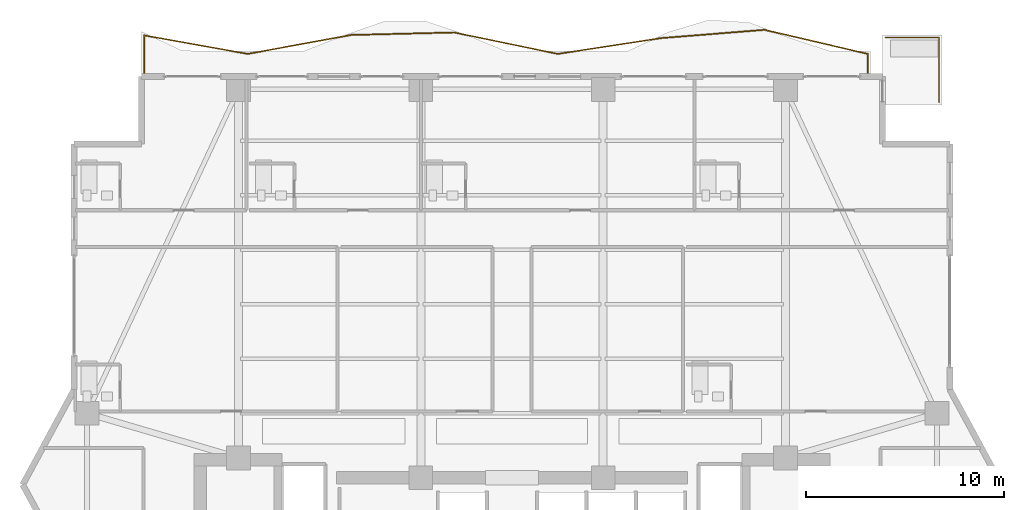
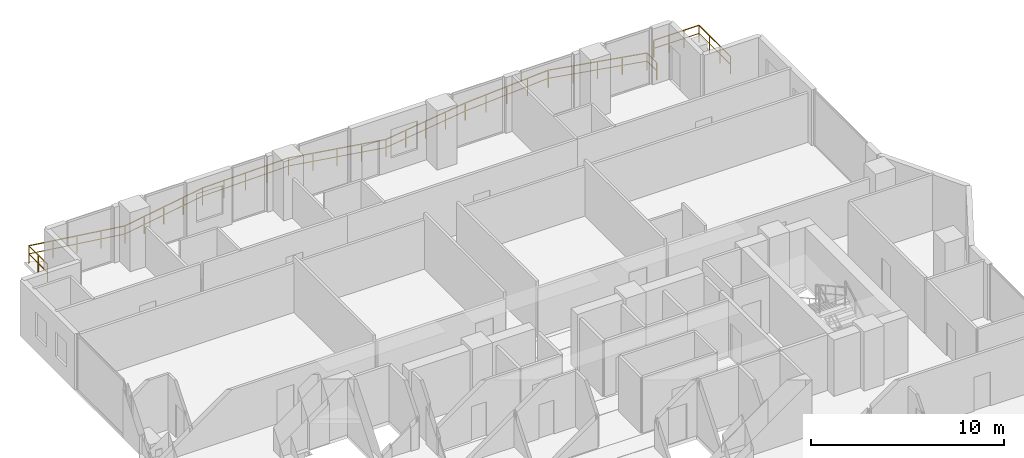
# One storey, part 31 of 32: 2 railings.
"""IFC4 building model written with IfcOpenShell, lengths in metres."""

import ifcopenshell
import ifcopenshell.guid

model = None  # the IFC model being written
_history = None  # IfcOwnerHistory: only IFC2X3 demands one
_inside = {}  # id of a spatial element -> (the spatial element, [elements in it])
_under = {}  # id of a project, library or spatial element -> (it, [spatial elements below it])
_declared = {}  # id of a project -> (the project, [libraries it declares])
_typed = {}  # id of a type object -> (the type object, [elements of that type])
_made_of = {}  # id of a material, layer set ... -> (it, [elements and type objects made of it])


def new_model(schema):
    """Start an empty IFC model of exactly this schema.

    Asked for "IFC4X3", IfcOpenShell would pick the latest addendum, in which some entities
    have other attributes; the version numbers below select the first issue.
    IFC2X3 requires an IfcOwnerHistory on every rooted entity: one is made here for all.
    """
    global model, _history
    if schema == "IFC4X3":
        model = ifcopenshell.file(schema_version=(4, 3, 0, 0))
    else:
        model = ifcopenshell.file(schema=schema)
    _inside.clear()
    _under.clear()
    _declared.clear()
    _typed.clear()
    _made_of.clear()
    _history = None
    if model.schema == "IFC2X3":
        org = make("IfcOrganization", Name="unknown")
        user = make(
            "IfcPersonAndOrganization",
            ThePerson=make("IfcPerson", FamilyName="unknown"),
            TheOrganization=org,
        )
        app = make(
            "IfcApplication",
            ApplicationDeveloper=org,
            Version="unknown",
            ApplicationFullName="unknown",
            ApplicationIdentifier="unknown",
        )
        _history = make(
            "IfcOwnerHistory",
            OwningUser=user,
            OwningApplication=app,
            ChangeAction="ADDED",
            CreationDate=0,
        )
    return model


def make(cls, **values):
    """One entity of the class cls with the attributes given. An attribute that is None is left unset."""
    return model.create_entity(
        cls, **{name: value for name, value in values.items() if value is not None}
    )


def rooted(cls, **values):
    """An entity with a GlobalId (a new one), such as an element, a storey or a relation."""
    return make(cls, GlobalId=ifcopenshell.guid.new(), OwnerHistory=_history, **values)


def si_unit(unit_type, name, prefix=None):
    """IfcSIUnit, for example si_unit("LENGTHUNIT", "METRE", prefix="MILLI")."""
    return make("IfcSIUnit", UnitType=unit_type, Prefix=prefix, Name=name)


def assignment(units):
    """IfcUnitAssignment: the units of a project."""
    return None if units is None else make("IfcUnitAssignment", Units=units)


def point(xyz):
    """IfcCartesianPoint."""
    return None if xyz is None else make("IfcCartesianPoint", Coordinates=xyz)


def direction(xyz):
    """IfcDirection."""
    return None if xyz is None else make("IfcDirection", DirectionRatios=xyz)


def frame(location, z_axis=None, x_axis=None):
    """IfcAxis2Placement3D, a coordinate frame: its origin and axes. An axis left out is left unset."""
    return make(
        "IfcAxis2Placement3D",
        Location=point(location),
        Axis=direction(z_axis),
        RefDirection=direction(x_axis),
    )


def frame_2d(location, x_axis=None):
    """IfcAxis2Placement2D, a coordinate frame in the plane: its origin and x axis."""
    return make(
        "IfcAxis2Placement2D", Location=point(location), RefDirection=direction(x_axis)
    )


def origin():
    """The frame at (0, 0, 0) with its axes left unset."""
    return frame((0.0, 0.0, 0.0))


def origin_2d():
    """The frame at (0, 0) in the plane with its x axis left unset."""
    return frame_2d((0.0, 0.0))


def place(relative_to, where):
    """IfcLocalPlacement: puts the frame where relative to a parent placement (None: the world)."""
    return make(
        "IfcLocalPlacement", PlacementRelTo=relative_to, RelativePlacement=where
    )


def context(
    kind, dimensions, precision=None, world=None, true_north=None, identifier=None
):
    """IfcGeometricRepresentationContext, for example the 3D "Model" context."""
    return make(
        "IfcGeometricRepresentationContext",
        ContextIdentifier=identifier,
        ContextType=kind,
        CoordinateSpaceDimension=dimensions,
        Precision=precision,
        WorldCoordinateSystem=world,
        TrueNorth=true_north,
    )


def subcontext(parent, identifier, kind, view, scale=None):
    """IfcGeometricRepresentationSubContext, for example "Body" below "Model"."""
    return make(
        "IfcGeometricRepresentationSubContext",
        ContextIdentifier=identifier,
        ContextType=kind,
        ParentContext=parent,
        TargetScale=scale,
        TargetView=view,
    )


def project(units=None, contexts=None):
    """IfcProject with its units and contexts."""
    return rooted(
        "IfcProject",
        Name="project",
        RepresentationContexts=contexts,
        UnitsInContext=assignment(units),
    )


def spatial(cls, under=None, at=None, **own):
    """A site, building, storey or space (cls), placed at a placement, below another one or the project."""
    s = rooted(cls, ObjectPlacement=at, **own)
    if under is not None:
        _under.setdefault(under.id(), (under, []))[1].append(s)
    return s


def profile(cls, at=None, kind="AREA", **sizes):
    """A parametric profile (cls). Its sizes go by their IFC names, for example OverallWidth=200.0."""
    return make(cls, ProfileType=kind, Position=at, **sizes)


def rectangle(**sizes):
    """IfcRectangleProfileDef."""
    return profile("IfcRectangleProfileDef", **sizes)


def extrude(swept, where, along, depth):
    """IfcExtrudedAreaSolid: the profile swept, set in the frame where, extruded along a direction by depth."""
    return make(
        "IfcExtrudedAreaSolid",
        SweptArea=swept,
        Position=where,
        ExtrudedDirection=direction(along),
        Depth=depth,
    )


def shape(context_of_items, identifier, shape_type, items):
    """IfcShapeRepresentation: the items that make up one representation, for example the "Body"."""
    return make(
        "IfcShapeRepresentation",
        ContextOfItems=context_of_items,
        RepresentationIdentifier=identifier,
        RepresentationType=shape_type,
        Items=items,
    )


def material(Name=None, Category=None):
    """IfcMaterial."""
    return make("IfcMaterial", Name=Name, Category=Category)


def made_of(thing, what):
    """Note that an element or type object is made of a material, layer set ...; save() writes the relation."""
    if what is not None:
        _made_of.setdefault(what.id(), (what, []))[1].append(thing)
    return thing


def type_object(cls, material=None, **own):
    """A type object (cls), such as IfcWallType, which elements share."""
    return made_of(rooted(cls, **own), material)


def element(
    cls,
    number,
    at=None,
    inside=None,
    cuts=None,
    type_object=None,
    material=None,
    context=None,
    identifier="Body",
    shape_type=None,
    held_by="IfcProductDefinitionShape",
    body=None,
    shapes=None,
    **own,
):
    """One element of the class cls, such as IfcWall. Its Tag is "e" and its number.

    at: its placement. inside: the storey or other place that contains it. cuts: it is an
    opening in that element (IfcRelVoidsElement). A single representation is given by context,
    identifier, shape_type and body (its items); several are given by shapes. held_by: the class
    of the entity that holds the representations. save() writes the other relations.
    """
    e = rooted(cls, Tag="e%d" % number, ObjectPlacement=at, **own)
    if body is not None:
        shapes = [shape(context, identifier, shape_type, body)]
    if shapes is not None:
        e.Representation = make(held_by, Representations=shapes)
    if inside is not None:
        _inside.setdefault(inside.id(), (inside, []))[1].append(e)
    if cuts is not None:
        rooted(
            "IfcRelVoidsElement", RelatingBuildingElement=cuts, RelatedOpeningElement=e
        )
    if type_object is not None:
        _typed.setdefault(type_object.id(), (type_object, []))[1].append(e)
    return made_of(e, material)


def aggregate(whole, parts):
    """IfcRelAggregates: a whole, such as a stair, and the parts it consists of."""
    return rooted("IfcRelAggregates", RelatingObject=whole, RelatedObjects=parts)


def save(model, path):
    """Write the relations noted so far, then the file.

    IfcRelAggregates (storeys below a building ...), IfcRelContainedInSpatialStructure (elements
    in a storey), IfcRelDefinesByType, IfcRelAssociatesMaterial and IfcRelDeclares: one each for
    every whole, place, type object, material and project.
    """
    for whole, parts in _under.values():
        aggregate(whole, parts)
    for where, things in _inside.values():
        rooted(
            "IfcRelContainedInSpatialStructure",
            RelatedElements=things,
            RelatingStructure=where,
        )
    for kind, things in _typed.values():
        rooted("IfcRelDefinesByType", RelatedObjects=things, RelatingType=kind)
    for what, things in _made_of.values():
        rooted("IfcRelAssociatesMaterial", RelatedObjects=things, RelatingMaterial=what)
    for by, libraries in _declared.values():
        rooted("IfcRelDeclares", RelatingContext=by, RelatedDefinitions=libraries)
    model.write(path)


model = new_model("IFC4")

# Units and contexts
model_context = context("Model", 3, precision=1e-05, world=origin(), true_north=direction((0.0, 1.0)))
body_context = subcontext(model_context, "Body", "Model", "MODEL_VIEW")
ifc_project = project(units=[si_unit("LENGTHUNIT", "METRE"), si_unit("AREAUNIT", "SQUARE_METRE"), si_unit("VOLUMEUNIT", "CUBIC_METRE"), si_unit("PLANEANGLEUNIT", "RADIAN"), si_unit("MASSUNIT", "GRAM", prefix="KILO")], contexts=[model_context])

# Site, building, storey
site_placement = place(None, origin())
site = spatial("IfcSite", under=ifc_project, at=site_placement, CompositionType="ELEMENT")
building_placement = place(site_placement, origin())
building = spatial("IfcBuilding", under=site, at=building_placement, Name="Zuhayl Quay Hotel", CompositionType="ELEMENT")
storey_placement = place(building_placement, frame((0.0, 0.0, 218.64990234375)))
storey = spatial("IfcBuildingStorey", under=building, at=storey_placement, Name="L55", CompositionType="ELEMENT", Elevation=218.64990234375)

# Railings
ifc_material = material(Name="Anodised Aluminium and Laminated Glass", Category="aluminium")
railing_type = type_object("IfcRailingType", Name="RL_EXT_BAL_1100", PredefinedType="BALUSTRADE", material=ifc_material)
railing_1_placement = place(storey_placement, frame((-18.56005859375, 33.719970703125, 0.0)))
element("IfcRailing", 1, at=railing_1_placement, inside=storey, type_object=railing_type, Name="L55 Balcony and Terrace Guard GR_L55_BAL_N", PredefinedType="BALUSTRADE", context=body_context, shape_type="SweptSolid", body=[
    extrude(rectangle(XDim=0.048095703125, YDim=0.048095703125, at=origin_2d()), frame((0.0, 0.0, 1.09619140625), z_axis=(0.0, 1.0, 0.0), x_axis=(-1.0, 0.0, 0.0)), (0.0, 0.0, 1.0), 1.95458984375),
    extrude(rectangle(XDim=0.0361328125, YDim=0.0361328125, at=origin_2d()), frame((0.0, 0.0, 0.58251953125), z_axis=(0.0, 1.0, 0.0), x_axis=(-1.0, 0.0, 0.0)), (0.0, 0.0, 1.0), 1.95458984375),
    extrude(rectangle(XDim=0.048095703125, YDim=0.048095703125, at=origin_2d()), frame((0.0, 1.95458984375, 1.09619140625), z_axis=(0.984330915861, -0.176331075198, 0.0), x_axis=(0.176331075198, 0.984330915861, 0.0)), (0.0, 0.0, 1.0), 5.300048828125),
    extrude(rectangle(XDim=0.0361328125, YDim=0.0361328125, at=origin_2d()), frame((0.0, 1.95458984375, 0.58251953125), z_axis=(0.984330915861, -0.176331075198, 0.0), x_axis=(0.176331075198, 0.984330915861, 0.0)), (0.0, 0.0, 1.0), 5.300048828125),
    extrude(rectangle(XDim=0.048095703125, YDim=0.048095703125, at=origin_2d()), frame((5.217041015625, 1.02001953125, 1.09619140625), z_axis=(0.983645994575, 0.180112624089, 0.0), x_axis=(-0.180112624089, 0.983645994575, 0.0)), (0.0, 0.0, 1.0), 5.303955078125),
    extrude(rectangle(XDim=0.0361328125, YDim=0.0361328125, at=origin_2d()), frame((5.217041015625, 1.02001953125, 0.58251953125), z_axis=(0.983645994575, 0.180112624089, 0.0), x_axis=(-0.180112624089, 0.983645994575, 0.0)), (0.0, 0.0, 1.0), 5.303955078125),
    extrude(rectangle(XDim=0.048095703125, YDim=0.048095703125, at=origin_2d()), frame((10.434326171875, 1.975341796875, 1.09619140625), z_axis=(0.999707455401, 0.024186847978, 0.0), x_axis=(-0.024186847978, 0.999707455401, 0.0)), (0.0, 0.0, 1.0), 5.218505859375),
    extrude(rectangle(XDim=0.0361328125, YDim=0.0361328125, at=origin_2d()), frame((10.434326171875, 1.975341796875, 0.58251953125), z_axis=(0.999707455401, 0.024186847978, 0.0), x_axis=(-0.024186847978, 0.999707455401, 0.0)), (0.0, 0.0, 1.0), 5.218505859375),
    extrude(rectangle(XDim=0.048095703125, YDim=0.048095703125, at=origin_2d()), frame((15.6513671875, 2.1015625, 1.09619140625), z_axis=(0.97918197612, -0.202984377829, 0.0), x_axis=(0.202984377829, 0.97918197612, 0.0)), (0.0, 0.0, 1.0), 5.328125),
    extrude(rectangle(XDim=0.0361328125, YDim=0.0361328125, at=origin_2d()), frame((15.6513671875, 2.1015625, 0.58251953125), z_axis=(0.97918197612, -0.202984377829, 0.0), x_axis=(0.202984377829, 0.97918197612, 0.0)), (0.0, 0.0, 1.0), 5.328125),
    extrude(rectangle(XDim=0.048095703125, YDim=0.048095703125, at=origin_2d()), frame((20.86865234375, 1.02001953125, 1.09619140625), z_axis=(0.988472550208, 0.151400189847, 0.0), x_axis=(-0.151400189847, 0.988472550208, 0.0)), (0.0, 0.0, 1.0), 5.27783203125),
    extrude(rectangle(XDim=0.0361328125, YDim=0.0361328125, at=origin_2d()), frame((20.86865234375, 1.02001953125, 0.58251953125), z_axis=(0.988472550208, 0.151400189847, 0.0), x_axis=(-0.151400189847, 0.988472550208, 0.0)), (0.0, 0.0, 1.0), 5.27783203125),
    extrude(rectangle(XDim=0.048095703125, YDim=0.048095703125, at=origin_2d()), frame((26.085693359375, 1.819091796875, 1.09619140625), z_axis=(0.996836009487, 0.079485660279, 0.0), x_axis=(-0.079485660279, 0.996836009487, 0.0)), (0.0, 0.0, 1.0), 5.23388671875),
    extrude(rectangle(XDim=0.0361328125, YDim=0.0361328125, at=origin_2d()), frame((26.085693359375, 1.819091796875, 0.58251953125), z_axis=(0.996836009487, 0.079485660279, 0.0), x_axis=(-0.079485660279, 0.996836009487, 0.0)), (0.0, 0.0, 1.0), 5.23388671875),
    extrude(rectangle(XDim=0.048095703125, YDim=0.048095703125, at=origin_2d()), frame((31.302978515625, 2.235107421875, 1.09619140625), z_axis=(0.973932908461, -0.226836262128, 0.0), x_axis=(0.226836262128, 0.973932908461, 0.0)), (0.0, 0.0, 1.0), 5.356689453125),
    extrude(rectangle(XDim=0.0361328125, YDim=0.0361328125, at=origin_2d()), frame((31.302978515625, 2.235107421875, 0.58251953125), z_axis=(0.973932908461, -0.226836262128, 0.0), x_axis=(0.226836262128, 0.973932908461, 0.0)), (0.0, 0.0, 1.0), 5.356689453125),
    extrude(rectangle(XDim=0.048095703125, YDim=0.048095703125, at=origin_2d()), frame((36.52001953125, 1.02001953125, 1.09619140625), z_axis=(0.0, -1.0, 0.0), x_axis=(1.0, 0.0, 0.0)), (0.0, 0.0, 1.0), 1.02001953125),
    extrude(rectangle(XDim=0.0361328125, YDim=0.0361328125, at=origin_2d()), frame((36.52001953125, 1.02001953125, 0.58251953125), z_axis=(0.0, -1.0, 0.0), x_axis=(1.0, 0.0, 0.0)), (0.0, 0.0, 1.0), 1.02001953125),
    extrude(rectangle(XDim=0.0419921875, YDim=0.0419921875, at=origin_2d()), origin(), (0.0, 0.0, 1.0), 1.072021484375),
    extrude(rectangle(XDim=0.0419921875, YDim=0.0419921875, at=origin_2d()), frame((0.0, 0.977294921875, 0.0)), (0.0, 0.0, 1.0), 1.072021484375),
    extrude(rectangle(XDim=0.0419921875, YDim=0.0419921875, at=origin_2d()), frame((0.0, 1.95458984375, 0.0)), (0.0, 0.0, 1.0), 1.072021484375),
    extrude(rectangle(XDim=0.0419921875, YDim=0.0419921875, at=origin_2d()), frame((1.30419921875, 1.720947265625, 0.0)), (0.0, 0.0, 1.0), 1.072021484375),
    extrude(rectangle(XDim=0.0419921875, YDim=0.0419921875, at=origin_2d()), frame((2.6083984375, 1.4873046875, 0.0)), (0.0, 0.0, 1.0), 1.072021484375),
    extrude(rectangle(XDim=0.0419921875, YDim=0.0419921875, at=origin_2d()), frame((3.912841796875, 1.253662109375, 0.0)), (0.0, 0.0, 1.0), 1.072021484375),
    extrude(rectangle(XDim=0.0419921875, YDim=0.0419921875, at=origin_2d()), frame((5.217041015625, 1.02001953125, 0.0)), (0.0, 0.0, 1.0), 1.072021484375),
    extrude(rectangle(XDim=0.0419921875, YDim=0.0419921875, at=origin_2d()), frame((6.521484375, 1.2587890625, 0.0)), (0.0, 0.0, 1.0), 1.072021484375),
    extrude(rectangle(XDim=0.0419921875, YDim=0.0419921875, at=origin_2d()), frame((7.82568359375, 1.49755859375, 0.0)), (0.0, 0.0, 1.0), 1.072021484375),
    extrude(rectangle(XDim=0.0419921875, YDim=0.0419921875, at=origin_2d()), frame((9.1298828125, 1.736572265625, 0.0)), (0.0, 0.0, 1.0), 1.072021484375),
    extrude(rectangle(XDim=0.0419921875, YDim=0.0419921875, at=origin_2d()), frame((10.434326171875, 1.975341796875, 0.0)), (0.0, 0.0, 1.0), 1.072021484375),
    extrude(rectangle(XDim=0.0419921875, YDim=0.0419921875, at=origin_2d()), frame((11.738525390625, 2.0068359375, 0.0)), (0.0, 0.0, 1.0), 1.072021484375),
    extrude(rectangle(XDim=0.0419921875, YDim=0.0419921875, at=origin_2d()), frame((13.04296875, 2.03857421875, 0.0)), (0.0, 0.0, 1.0), 1.072021484375),
    extrude(rectangle(XDim=0.0419921875, YDim=0.0419921875, at=origin_2d()), frame((14.34716796875, 2.070068359375, 0.0)), (0.0, 0.0, 1.0), 1.072021484375),
    extrude(rectangle(XDim=0.0419921875, YDim=0.0419921875, at=origin_2d()), frame((15.6513671875, 2.1015625, 0.0)), (0.0, 0.0, 1.0), 1.072021484375),
    extrude(rectangle(XDim=0.0419921875, YDim=0.0419921875, at=origin_2d()), frame((16.95556640625, 1.8310546875, 0.0)), (0.0, 0.0, 1.0), 1.072021484375),
    extrude(rectangle(XDim=0.0419921875, YDim=0.0419921875, at=origin_2d()), frame((18.260009765625, 1.560791015625, 0.0)), (0.0, 0.0, 1.0), 1.072021484375),
    extrude(rectangle(XDim=0.0419921875, YDim=0.0419921875, at=origin_2d()), frame((19.564453125, 1.29052734375, 0.0)), (0.0, 0.0, 1.0), 1.072021484375),
    extrude(rectangle(XDim=0.0419921875, YDim=0.0419921875, at=origin_2d()), frame((20.86865234375, 1.02001953125, 0.0)), (0.0, 0.0, 1.0), 1.072021484375),
    extrude(rectangle(XDim=0.0419921875, YDim=0.0419921875, at=origin_2d()), frame((22.1728515625, 1.2197265625, 0.0)), (0.0, 0.0, 1.0), 1.072021484375),
    extrude(rectangle(XDim=0.0419921875, YDim=0.0419921875, at=origin_2d()), frame((23.47705078125, 1.41943359375, 0.0)), (0.0, 0.0, 1.0), 1.072021484375),
    extrude(rectangle(XDim=0.0419921875, YDim=0.0419921875, at=origin_2d()), frame((24.781494140625, 1.619384765625, 0.0)), (0.0, 0.0, 1.0), 1.072021484375),
    extrude(rectangle(XDim=0.0419921875, YDim=0.0419921875, at=origin_2d()), frame((26.085693359375, 1.819091796875, 0.0)), (0.0, 0.0, 1.0), 1.072021484375),
    extrude(rectangle(XDim=0.0419921875, YDim=0.0419921875, at=origin_2d()), frame((27.39013671875, 1.923095703125, 0.0)), (0.0, 0.0, 1.0), 1.072021484375),
    extrude(rectangle(XDim=0.0419921875, YDim=0.0419921875, at=origin_2d()), frame((28.6943359375, 2.027099609375, 0.0)), (0.0, 0.0, 1.0), 1.072021484375),
    extrude(rectangle(XDim=0.0419921875, YDim=0.0419921875, at=origin_2d()), frame((29.99853515625, 2.131103515625, 0.0)), (0.0, 0.0, 1.0), 1.072021484375),
    extrude(rectangle(XDim=0.0419921875, YDim=0.0419921875, at=origin_2d()), frame((31.302978515625, 2.235107421875, 0.0)), (0.0, 0.0, 1.0), 1.072021484375),
    extrude(rectangle(XDim=0.0419921875, YDim=0.0419921875, at=origin_2d()), frame((32.607177734375, 1.931396484375, 0.0)), (0.0, 0.0, 1.0), 1.072021484375),
    extrude(rectangle(XDim=0.0419921875, YDim=0.0419921875, at=origin_2d()), frame((33.91162109375, 1.62744140625, 0.0)), (0.0, 0.0, 1.0), 1.072021484375),
    extrude(rectangle(XDim=0.0419921875, YDim=0.0419921875, at=origin_2d()), frame((35.2158203125, 1.32373046875, 0.0)), (0.0, 0.0, 1.0), 1.072021484375),
    extrude(rectangle(XDim=0.0419921875, YDim=0.0419921875, at=origin_2d()), frame((36.52001953125, 1.02001953125, 0.0)), (0.0, 0.0, 1.0), 1.072021484375),
    extrude(rectangle(XDim=0.0419921875, YDim=0.0419921875, at=origin_2d()), frame((36.52001953125, 0.0, 0.0)), (0.0, 0.0, 1.0), 1.072021484375),
])
railing_2_placement = place(storey_placement, frame((21.56005859375, 32.2900390625, 0.0)))
element("IfcRailing", 2, at=railing_2_placement, inside=storey, type_object=railing_type, Name="L55 Balcony and Terrace Guard GR_L55_SPIRAL_NE", PredefinedType="BALUSTRADE", context=body_context, shape_type="SweptSolid", body=[
    extrude(rectangle(XDim=0.048095703125, YDim=0.048095703125, at=origin_2d()), frame((0.0, 0.0, 1.09619140625), z_axis=(0.0, 1.0, 0.0), x_axis=(-1.0, 0.0, 0.0)), (0.0, 0.0, 1.0), 3.27001953125),
    extrude(rectangle(XDim=0.0361328125, YDim=0.0361328125, at=origin_2d()), frame((0.0, 0.0, 0.58251953125), z_axis=(0.0, 1.0, 0.0), x_axis=(-1.0, 0.0, 0.0)), (0.0, 0.0, 1.0), 3.27001953125),
    extrude(rectangle(XDim=0.048095703125, YDim=0.048095703125, at=origin_2d()), frame((0.0, 3.27001953125, 1.09619140625), z_axis=(-1.0, 0.0, 0.0), x_axis=(0.0, -1.0, 0.0)), (0.0, 0.0, 1.0), 2.719970703125),
    extrude(rectangle(XDim=0.0361328125, YDim=0.0361328125, at=origin_2d()), frame((0.0, 3.27001953125, 0.58251953125), z_axis=(-1.0, 0.0, 0.0), x_axis=(0.0, -1.0, 0.0)), (0.0, 0.0, 1.0), 2.719970703125),
    extrude(rectangle(XDim=0.0419921875, YDim=0.0419921875, at=origin_2d()), origin(), (0.0, 0.0, 1.0), 1.072021484375),
    extrude(rectangle(XDim=0.0419921875, YDim=0.0419921875, at=origin_2d()), frame((0.0, 1.090087890625, 0.0)), (0.0, 0.0, 1.0), 1.072021484375),
    extrude(rectangle(XDim=0.0419921875, YDim=0.0419921875, at=origin_2d()), frame((0.0, 2.179931640625, 0.0)), (0.0, 0.0, 1.0), 1.072021484375),
    extrude(rectangle(XDim=0.0419921875, YDim=0.0419921875, at=origin_2d()), frame((0.0, 3.27001953125, 0.0)), (0.0, 0.0, 1.0), 1.072021484375),
    extrude(rectangle(XDim=0.0419921875, YDim=0.0419921875, at=origin_2d()), frame((-0.90673828125, 3.27001953125, 0.0)), (0.0, 0.0, 1.0), 1.072021484375),
    extrude(rectangle(XDim=0.0419921875, YDim=0.0419921875, at=origin_2d()), frame((-1.813232421875, 3.27001953125, 0.0)), (0.0, 0.0, 1.0), 1.072021484375),
    extrude(rectangle(XDim=0.0419921875, YDim=0.0419921875, at=origin_2d()), frame((-2.719970703125, 3.27001953125, 0.0)), (0.0, 0.0, 1.0), 1.072021484375),
])

save(model, "model.ifc")
